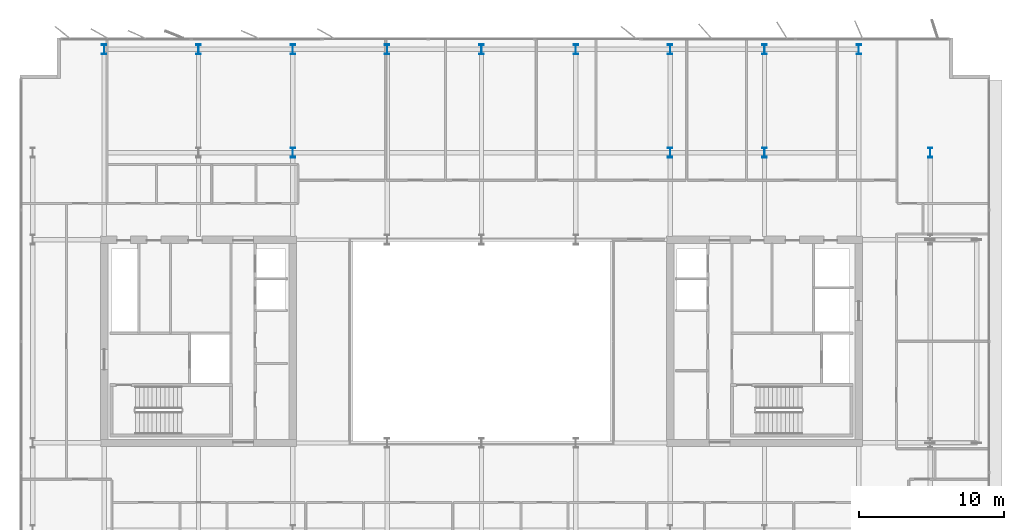
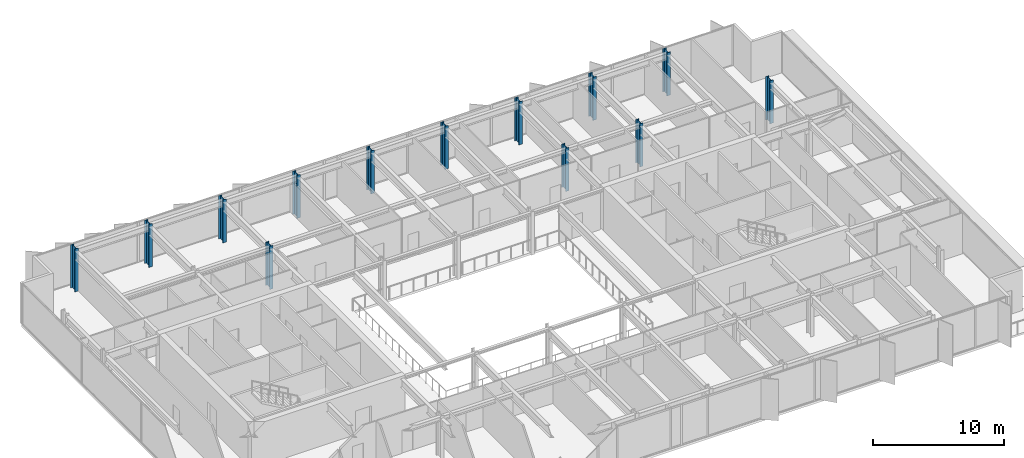
# One storey, part 3 of 20: 13 columns.
"""IFC4 building model written with IfcOpenShell, lengths in metres."""

from ifc_helpers import new_model, si_unit, direction, frame, origin, origin_2d, place, context, subcontext, project, spatial, i_section, extrude, material, material_profile, profile_set, type_object, element, save


model = new_model("IFC4")

# Units and contexts
model_context = context("Model", 3, precision=1e-05, world=origin(), true_north=direction((0.0, 1.0)))
body_context = subcontext(model_context, "Body", "Model", "MODEL_VIEW")
ifc_project = project(units=[si_unit("LENGTHUNIT", "METRE"), si_unit("AREAUNIT", "SQUARE_METRE"), si_unit("VOLUMEUNIT", "CUBIC_METRE"), si_unit("PLANEANGLEUNIT", "RADIAN"), si_unit("MASSUNIT", "GRAM", prefix="KILO")], contexts=[model_context])

# Site, building, storey
site_placement = place(None, origin())
site = spatial("IfcSite", under=ifc_project, at=site_placement, CompositionType="ELEMENT")
building_placement = place(site_placement, origin())
building = spatial("IfcBuilding", under=site, at=building_placement, Name="Putna Gate Headquarters", CompositionType="ELEMENT")
storey_placement = place(building_placement, frame((0.0, 0.0, 302.39990234375)))
storey = spatial("IfcBuildingStorey", under=building, at=storey_placement, Name="L76", CompositionType="ELEMENT", Elevation=302.39990234375)

# Columns
ifc_material = material(Name="Steel S460M", Category="steel")
ifc_material_profile_1 = material_profile(ifc_material, i_section(OverallWidth=0.304931640625, OverallDepth=0.66796875, WebThickness=0.02099609375, FlangeThickness=0.0400390625, at=origin_2d()), Name="Steel S460M")
ifc_profile_set_1 = profile_set([ifc_material_profile_1], Name="Steel S460M")
column_type_1 = type_object("IfcColumnType", Name="COL-STL-HEM650-EXT", PredefinedType="COLUMN", material=ifc_profile_set_1)
for number, where, z_axis, x_axis, name in (
    (1, (13.0, 46.1201171875, 0.0), (0.0, 0.0, 1.0), (1.0, 0.0, 0.0), "L76 Column CP-N13"),
    (2, (19.5, 46.1201171875, 0.0), (0.0, 0.0, 1.0), (1.0, 0.0, 0.0), "L76 Column CP-N19"),
    (3, (26.0, 46.1201171875, 0.0), (0.0, 0.0, 1.0), (1.0, 0.0, 0.0), "L76 Column CP-N26"),
    (4, (32.5, 46.1201171875, 0.0), (0.0, 0.0, 1.0), (1.0, 0.0, 0.0), "L76 Column CP-N32"),
    (5, (39.0, 46.1201171875, 0.0), (0.0, 0.0, 1.0), (1.0, 0.0, 0.0), "L76 Column CP-N39"),
    (6, (45.5, 46.1201171875, 0.0), (0.0, 0.0, 1.0), (1.0, 0.0, 0.0), "L76 Column CP-N45"),
    (7, (52.0, 46.1201171875, 0.0), (0.0, 0.0, 1.0), (1.0, 0.0, 0.0), "L76 Column CP-N52"),
    (8, (58.5, 46.1201171875, 0.0), (0.0, 0.0, 1.0), (1.0, 0.0, 0.0), "L76 Column CP-N58"),
    (9, (65.0, 46.1201171875, 0.0), (0.0, 0.0, 1.0), (1.0, 0.0, 0.0), "L76 Column CP-N65"),
    (10, (69.919921875, 39.0, 0.0), (0.0, 0.0, 1.0), (1.0, 0.0, 0.0), "L76 Column CP-E39"),
):
    element("IfcColumn", number, at=place(storey_placement, frame(where, z_axis=z_axis, x_axis=x_axis)), inside=storey, type_object=column_type_1, Name=name, PredefinedType="COLUMN", context=body_context, shape_type="SweptSolid", body=[
        extrude(i_section(OverallWidth=0.304931640625, OverallDepth=0.66796875, WebThickness=0.02099609375, FlangeThickness=0.0400390625, at=origin_2d()), origin(), (0.0, 0.0, 1.0), 4.0),
    ])
ifc_material_profile_2 = material_profile(ifc_material, i_section(OverallWidth=0.304931640625, OverallDepth=0.66796875, WebThickness=0.02099609375, FlangeThickness=0.0400390625, at=origin_2d()), Name="Steel S460M")
ifc_profile_set_2 = profile_set([ifc_material_profile_2], Name="Steel S460M")
column_type_2 = type_object("IfcColumnType", Name="COL-STL-HEM650-INT", PredefinedType="COLUMN", material=ifc_profile_set_2)
for number, where, z_axis, x_axis, name in (
    (11, (58.5, 39.0, 0.0), (0.0, 0.0, 1.0), (1.0, 0.0, 0.0), "L76 Column CSI-EN"),
    (12, (26.0, 39.0, 0.0), (0.0, 0.0, 1.0), (1.0, 0.0, 0.0), "L76 Column CAP-WN"),
    (13, (52.0, 39.0, 0.0), (0.0, 0.0, 1.0), (1.0, 0.0, 0.0), "L76 Column CAP-EN"),
):
    element("IfcColumn", number, at=place(storey_placement, frame(where, z_axis=z_axis, x_axis=x_axis)), inside=storey, type_object=column_type_2, Name=name, PredefinedType="COLUMN", context=body_context, shape_type="SweptSolid", body=[
        extrude(i_section(OverallWidth=0.304931640625, OverallDepth=0.66796875, WebThickness=0.02099609375, FlangeThickness=0.0400390625, at=origin_2d()), origin(), (0.0, 0.0, 1.0), 4.0),
    ])

save(model, "model.ifc")
